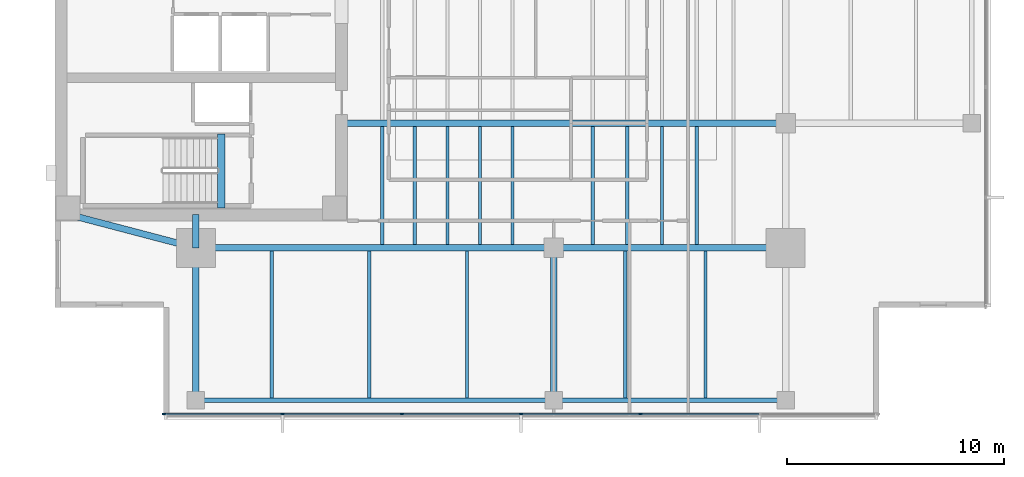
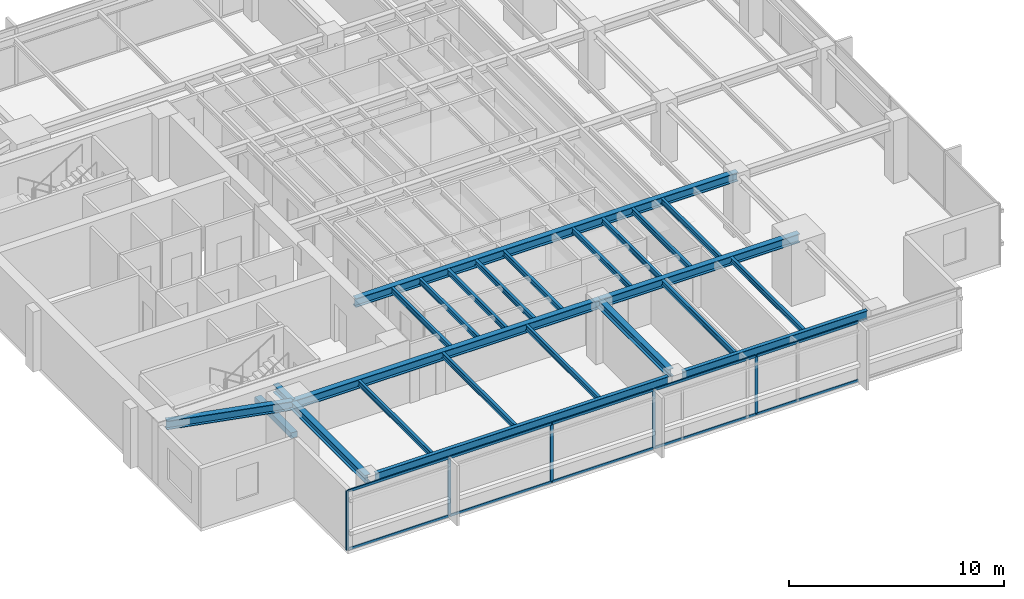
# One storey, part 2 of 14: 24 beams, 15 members, 1 element without a shape of its own.
"""IFC4 building model written with IfcOpenShell, lengths in metres."""

from ifc_helpers import new_model, si_unit, direction, frame, origin, origin_2d, place, context, subcontext, project, spatial, rectangle, i_section, extrude, material, layer, layer_set, material_profile, profile_set, type_object, element, aggregate, save


model = new_model("IFC4")

# Units and contexts
model_context = context("Model", 3, precision=1e-05, world=origin(), true_north=direction((0.0, 1.0)))
body_context = subcontext(model_context, "Body", "Model", "MODEL_VIEW")
ifc_project = project(units=[si_unit("LENGTHUNIT", "METRE"), si_unit("AREAUNIT", "SQUARE_METRE"), si_unit("VOLUMEUNIT", "CUBIC_METRE"), si_unit("PLANEANGLEUNIT", "RADIAN"), si_unit("MASSUNIT", "GRAM", prefix="KILO")], contexts=[model_context])

# Site, building, storey
site_placement = place(None, origin())
site = spatial("IfcSite", under=ifc_project, at=site_placement, CompositionType="ELEMENT")
building_placement = place(site_placement, origin())
building = spatial("IfcBuilding", under=site, at=building_placement, Name="Kinhvarn Gate Tower", CompositionType="ELEMENT")
storey_placement = place(building_placement, frame((0.0, 0.0, 216.449951171875)))
storey = spatial("IfcBuildingStorey", under=building, at=storey_placement, Name="L57", CompositionType="ELEMENT", Elevation=216.449951171875)

# Beam
ifc_material_1 = material(Name="Concrete C50/60", Category="concrete")
ifc_material_profile_1 = material_profile(ifc_material_1, rectangle(XDim=0.340087890625, YDim=0.320068359375, at=origin_2d()), Name="RC 340x320")
ifc_profile_set_1 = profile_set([ifc_material_profile_1], Name="Concrete C50/60")
beam_type_1 = type_object("IfcBeamType", Name="BM-LND-500", PredefinedType="BEAM", material=ifc_profile_set_1)
beam_1_placement = place(storey_placement, frame((12.1650390625, 14.60009765625, -0.159912109375), z_axis=(0.0, 1.0, 0.0), x_axis=(-1.0, 0.0, 0.0)))
element("IfcBeam", 1, at=beam_1_placement, inside=storey, type_object=beam_type_1, Name="Stair ST1 Landing Nosing Beam (L57)", PredefinedType="BEAM", context=body_context, shape_type="SweptSolid", body=[
    extrude(rectangle(XDim=0.340087890625, YDim=0.320068359375, at=origin_2d()), origin(), (0.0, 0.0, 1.0), 3.39990234375),
])

# Curtain wall, members
ifc_material_2 = material(Name="Anodised aluminium AW-6063", Category="aluminium")
ifc_layer = layer(ifc_material_2, 0.179931640625)
ifc_layer_set = layer_set([ifc_layer], Name="Anodised aluminium AW-6063")
curtain_wall_type = type_object("IfcCurtainWallType", Name="CW-SYS-3", PredefinedType="NOTDEFINED", material=ifc_layer_set)
curtain_wall_placement = place(storey_placement, origin())
curtain_wall = element("IfcCurtainWall", 2, at=curtain_wall_placement, inside=storey, type_object=curtain_wall_type, Name="Curtain Wall CW3 (L57)", PredefinedType="NOTDEFINED")
ifc_material_profile_2 = material_profile(ifc_material_2, rectangle(XDim=0.06494140625, YDim=0.159912109375, at=origin_2d()), Name="ALU 65x160")
ifc_profile_set_2 = profile_set([ifc_material_profile_2], Name="Anodised aluminium AW-6063")
member_type_1 = type_object("IfcMemberType", Name="CW-MUL-160", PredefinedType="MULLION", material=ifc_profile_set_2)
member_1_placement = place(storey_placement, frame((9.532470703125, 5.090087890625, 0.0), z_axis=(0.0, 0.0, 1.0), x_axis=(0.0, 1.0, 0.0)))
member_1 = element("IfcMember", 3, at=member_1_placement, type_object=member_type_1, Name="CW3 mullion 1", PredefinedType="MULLION", context=body_context, shape_type="SweptSolid", body=[
    extrude(rectangle(XDim=0.06494140625, YDim=0.159912109375, at=origin_2d()), origin(), (0.0, 0.0, 1.0), 3.3701171875),
])
member_2_placement = place(storey_placement, frame((15.0, 5.090087890625, 0.0), z_axis=(0.0, 0.0, 1.0), x_axis=(0.0, 1.0, 0.0)))
member_2 = element("IfcMember", 4, at=member_2_placement, type_object=member_type_1, Name="CW3 mullion 2", PredefinedType="MULLION", context=body_context, shape_type="SweptSolid", body=[
    extrude(rectangle(XDim=0.06494140625, YDim=0.159912109375, at=origin_2d()), origin(), (0.0, 0.0, 1.0), 3.3701171875),
])
member_3_placement = place(storey_placement, frame((20.5, 5.090087890625, 0.0), z_axis=(0.0, 0.0, 1.0), x_axis=(0.0, 1.0, 0.0)))
member_3 = element("IfcMember", 5, at=member_3_placement, type_object=member_type_1, Name="CW3 mullion 3", PredefinedType="MULLION", context=body_context, shape_type="SweptSolid", body=[
    extrude(rectangle(XDim=0.06494140625, YDim=0.159912109375, at=origin_2d()), origin(), (0.0, 0.0, 1.0), 3.3701171875),
])
member_4_placement = place(storey_placement, frame((26.0, 5.090087890625, 0.0), z_axis=(0.0, 0.0, 1.0), x_axis=(0.0, 1.0, 0.0)))
member_4 = element("IfcMember", 6, at=member_4_placement, type_object=member_type_1, Name="CW3 mullion 4", PredefinedType="MULLION", context=body_context, shape_type="SweptSolid", body=[
    extrude(rectangle(XDim=0.06494140625, YDim=0.159912109375, at=origin_2d()), origin(), (0.0, 0.0, 1.0), 3.3701171875),
])
member_5_placement = place(storey_placement, frame((31.5, 5.090087890625, 0.0), z_axis=(0.0, 0.0, 1.0), x_axis=(0.0, 1.0, 0.0)))
member_5 = element("IfcMember", 7, at=member_5_placement, type_object=member_type_1, Name="CW3 mullion 5", PredefinedType="MULLION", context=body_context, shape_type="SweptSolid", body=[
    extrude(rectangle(XDim=0.06494140625, YDim=0.159912109375, at=origin_2d()), origin(), (0.0, 0.0, 1.0), 3.3701171875),
])
ifc_material_profile_3 = material_profile(ifc_material_2, rectangle(XDim=0.070068359375, YDim=0.139892578125, at=origin_2d()), Name="ALU 70x140")
ifc_profile_set_3 = profile_set([ifc_material_profile_3], Name="Anodised aluminium AW-6063")
member_type_2 = type_object("IfcMemberType", Name="CW-TRN-140", PredefinedType="USERDEFINED", material=ifc_profile_set_3)
member_6_placement = place(storey_placement, frame((9.56494140625, 5.090087890625, 0.03515625), z_axis=(1.0, 0.0, 0.0), x_axis=(0.0, 1.0, 0.0)))
member_6 = element("IfcMember", 8, at=member_6_placement, type_object=member_type_2, Name="CW3 transom 1.1", ObjectType="TRANSOM", PredefinedType="USERDEFINED", context=body_context, shape_type="SweptSolid", body=[
    extrude(rectangle(XDim=0.070068359375, YDim=0.139892578125, at=origin_2d()), origin(), (0.0, 0.0, 1.0), 5.402587890625),
])
member_7_placement = place(storey_placement, frame((9.56494140625, 5.090087890625, 3.3349609375), z_axis=(1.0, 0.0, 0.0), x_axis=(0.0, 1.0, 0.0)))
member_7 = element("IfcMember", 9, at=member_7_placement, type_object=member_type_2, Name="CW3 transom 1.2", ObjectType="TRANSOM", PredefinedType="USERDEFINED", context=body_context, shape_type="SweptSolid", body=[
    extrude(rectangle(XDim=0.070068359375, YDim=0.139892578125, at=origin_2d()), origin(), (0.0, 0.0, 1.0), 5.402587890625),
])
member_8_placement = place(storey_placement, frame((15.032470703125, 5.090087890625, 0.03515625), z_axis=(1.0, 0.0, 0.0), x_axis=(0.0, 1.0, 0.0)))
member_8 = element("IfcMember", 10, at=member_8_placement, type_object=member_type_2, Name="CW3 transom 2.1", ObjectType="TRANSOM", PredefinedType="USERDEFINED", context=body_context, shape_type="SweptSolid", body=[
    extrude(rectangle(XDim=0.070068359375, YDim=0.139892578125, at=origin_2d()), origin(), (0.0, 0.0, 1.0), 5.43505859375),
])
member_9_placement = place(storey_placement, frame((15.032470703125, 5.090087890625, 3.3349609375), z_axis=(1.0, 0.0, 0.0), x_axis=(0.0, 1.0, 0.0)))
member_9 = element("IfcMember", 11, at=member_9_placement, type_object=member_type_2, Name="CW3 transom 2.2", ObjectType="TRANSOM", PredefinedType="USERDEFINED", context=body_context, shape_type="SweptSolid", body=[
    extrude(rectangle(XDim=0.070068359375, YDim=0.139892578125, at=origin_2d()), origin(), (0.0, 0.0, 1.0), 5.43505859375),
])
member_10_placement = place(storey_placement, frame((20.532470703125, 5.090087890625, 0.03515625), z_axis=(1.0, 0.0, 0.0), x_axis=(0.0, 1.0, 0.0)))
member_10 = element("IfcMember", 12, at=member_10_placement, type_object=member_type_2, Name="CW3 transom 3.1", ObjectType="TRANSOM", PredefinedType="USERDEFINED", context=body_context, shape_type="SweptSolid", body=[
    extrude(rectangle(XDim=0.070068359375, YDim=0.139892578125, at=origin_2d()), origin(), (0.0, 0.0, 1.0), 5.43505859375),
])
member_11_placement = place(storey_placement, frame((20.532470703125, 5.090087890625, 3.3349609375), z_axis=(1.0, 0.0, 0.0), x_axis=(0.0, 1.0, 0.0)))
member_11 = element("IfcMember", 13, at=member_11_placement, type_object=member_type_2, Name="CW3 transom 3.2", ObjectType="TRANSOM", PredefinedType="USERDEFINED", context=body_context, shape_type="SweptSolid", body=[
    extrude(rectangle(XDim=0.070068359375, YDim=0.139892578125, at=origin_2d()), origin(), (0.0, 0.0, 1.0), 5.43505859375),
])
member_12_placement = place(storey_placement, frame((26.032470703125, 5.090087890625, 0.03515625), z_axis=(1.0, 0.0, 0.0), x_axis=(0.0, 1.0, 0.0)))
member_12 = element("IfcMember", 14, at=member_12_placement, type_object=member_type_2, Name="CW3 transom 4.1", ObjectType="TRANSOM", PredefinedType="USERDEFINED", context=body_context, shape_type="SweptSolid", body=[
    extrude(rectangle(XDim=0.070068359375, YDim=0.139892578125, at=origin_2d()), origin(), (0.0, 0.0, 1.0), 5.43505859375),
])
member_13_placement = place(storey_placement, frame((26.032470703125, 5.090087890625, 3.3349609375), z_axis=(1.0, 0.0, 0.0), x_axis=(0.0, 1.0, 0.0)))
member_13 = element("IfcMember", 15, at=member_13_placement, type_object=member_type_2, Name="CW3 transom 4.2", ObjectType="TRANSOM", PredefinedType="USERDEFINED", context=body_context, shape_type="SweptSolid", body=[
    extrude(rectangle(XDim=0.070068359375, YDim=0.139892578125, at=origin_2d()), origin(), (0.0, 0.0, 1.0), 5.43505859375),
])
member_14_placement = place(storey_placement, frame((31.532470703125, 5.090087890625, 0.03515625), z_axis=(1.0, 0.0, 0.0), x_axis=(0.0, 1.0, 0.0)))
member_14 = element("IfcMember", 16, at=member_14_placement, type_object=member_type_2, Name="CW3 transom 5.1", ObjectType="TRANSOM", PredefinedType="USERDEFINED", context=body_context, shape_type="SweptSolid", body=[
    extrude(rectangle(XDim=0.070068359375, YDim=0.139892578125, at=origin_2d()), origin(), (0.0, 0.0, 1.0), 5.43505859375),
])
member_15_placement = place(storey_placement, frame((31.532470703125, 5.090087890625, 3.3349609375), z_axis=(1.0, 0.0, 0.0), x_axis=(0.0, 1.0, 0.0)))
member_15 = element("IfcMember", 17, at=member_15_placement, type_object=member_type_2, Name="CW3 transom 5.2", ObjectType="TRANSOM", PredefinedType="USERDEFINED", context=body_context, shape_type="SweptSolid", body=[
    extrude(rectangle(XDim=0.070068359375, YDim=0.139892578125, at=origin_2d()), origin(), (0.0, 0.0, 1.0), 5.43505859375),
])
aggregate(curtain_wall, [member_1, member_2, member_3, member_4, member_5, member_6, member_7, member_8, member_9, member_10, member_11, member_12, member_13, member_14, member_15])

# Beams
ifc_material_3 = material(Name="Steel S355", Category="steel")
ifc_material_profile_4 = material_profile(ifc_material_3, i_section(OverallWidth=0.300048828125, OverallDepth=0.449951171875, WebThickness=0.013916015625, FlangeThickness=0.02587890625, at=origin_2d()), Name="HEB 450")
ifc_profile_set_4 = profile_set([ifc_material_profile_4], Name="Steel S355")
beam_type_2 = type_object("IfcBeamType", Name="STL-HEB450", PredefinedType="BEAM", material=ifc_profile_set_4)
beam_2_placement = place(storey_placement, frame((11.0, 5.719970703125, 3.14501953125), z_axis=(0.0, 1.0, 0.0), x_axis=(-1.0, 0.0, 0.0)))
element("IfcBeam", 18, at=beam_2_placement, inside=storey, type_object=beam_type_2, Name="Floor Beam PG-13 (L57 MCW-S)", PredefinedType="BEAM", context=body_context, shape_type="SweptSolid", body=[
    extrude(i_section(OverallWidth=0.300048828125, OverallDepth=0.449951171875, WebThickness=0.013916015625, FlangeThickness=0.02587890625, at=origin_2d()), origin(), (0.0, 0.0, 1.0), 7.030029296875),
])
beam_3_placement = place(storey_placement, frame((11.0, 12.75, 3.14501953125), z_axis=(0.0, 1.0, 0.0), x_axis=(-1.0, 0.0, 0.0)))
element("IfcBeam", 19, at=beam_3_placement, inside=storey, type_object=beam_type_2, Name="Floor Beam PG-13 (L57 MCW-CS)", PredefinedType="BEAM", context=body_context, shape_type="SweptSolid", body=[
    extrude(i_section(OverallWidth=0.300048828125, OverallDepth=0.449951171875, WebThickness=0.013916015625, FlangeThickness=0.02587890625, at=origin_2d()), origin(), (0.0, 0.0, 1.0), 1.550048828125),
])
beam_4_placement = place(storey_placement, frame((27.5, 6.10498046875, 3.14501953125), z_axis=(0.0, 1.0, 0.0), x_axis=(-1.0, 0.0, 0.0)))
element("IfcBeam", 20, at=beam_4_placement, inside=storey, type_object=beam_type_2, Name="Floor Beam PG-13 (L57 SP27-S-TIE)", PredefinedType="BEAM", context=body_context, shape_type="SweptSolid", body=[
    extrude(i_section(OverallWidth=0.300048828125, OverallDepth=0.449951171875, WebThickness=0.013916015625, FlangeThickness=0.02587890625, at=origin_2d()), origin(), (0.0, 0.0, 1.0), 6.64501953125),
])
ifc_material_profile_5 = material_profile(ifc_material_3, i_section(OverallWidth=0.300048828125, OverallDepth=0.5, WebThickness=0.014404296875, FlangeThickness=0.028076171875, at=origin_2d()), Name="HEB 500")
ifc_profile_set_5 = profile_set([ifc_material_profile_5], Name="Steel S355")
beam_type_3 = type_object("IfcBeamType", Name="STL-HEB500", PredefinedType="BEAM", material=ifc_profile_set_5)
beam_5_placement = place(storey_placement, frame((11.0, 12.75, 3.1201171875), z_axis=(1.0, 0.0, 0.0), x_axis=(0.0, 1.0, 0.0)))
element("IfcBeam", 21, at=beam_5_placement, inside=storey, type_object=beam_type_3, Name="Floor Beam PG-14 (L57 MG-S1)", PredefinedType="BEAM", context=body_context, shape_type="SweptSolid", body=[
    extrude(i_section(OverallWidth=0.300048828125, OverallDepth=0.5, WebThickness=0.014404296875, FlangeThickness=0.028076171875, at=origin_2d()), origin(), (0.0, 0.0, 1.0), 16.5),
])
beam_6_placement = place(storey_placement, frame((27.5, 12.75, 3.1201171875), z_axis=(1.0, 0.0, 0.0), x_axis=(0.0, 1.0, 0.0)))
element("IfcBeam", 22, at=beam_6_placement, inside=storey, type_object=beam_type_3, Name="Floor Beam PG-14 (L57 MG-S2)", PredefinedType="BEAM", context=body_context, shape_type="SweptSolid", body=[
    extrude(i_section(OverallWidth=0.300048828125, OverallDepth=0.5, WebThickness=0.014404296875, FlangeThickness=0.028076171875, at=origin_2d()), origin(), (0.0, 0.0, 1.0), 10.699951171875),
])
beam_7_placement = place(storey_placement, frame((5.10009765625, 14.300048828125, 3.1201171875), z_axis=(0.967177623957, -0.254101246979, 0.0), x_axis=(0.254101246979, 0.967177623957, 0.0)))
element("IfcBeam", 23, at=beam_7_placement, inside=storey, type_object=beam_type_3, Name="Floor Beam PG-14 (L57 MG-SW-DIAG)", PredefinedType="BEAM", context=body_context, shape_type="SweptSolid", body=[
    extrude(i_section(OverallWidth=0.300048828125, OverallDepth=0.5, WebThickness=0.014404296875, FlangeThickness=0.028076171875, at=origin_2d()), origin(), (0.0, 0.0, 1.0), 6.10009765625),
])
beam_8_placement = place(storey_placement, frame((17.64990234375, 18.5, 3.1201171875), z_axis=(1.0, 0.0, 0.0), x_axis=(0.0, 1.0, 0.0)))
element("IfcBeam", 24, at=beam_8_placement, inside=storey, type_object=beam_type_3, Name="Floor Beam PG-14 (L57 EW1-Y18)", PredefinedType="BEAM", context=body_context, shape_type="SweptSolid", body=[
    extrude(i_section(OverallWidth=0.300048828125, OverallDepth=0.5, WebThickness=0.014404296875, FlangeThickness=0.028076171875, at=origin_2d()), origin(), (0.0, 0.0, 1.0), 20.550048828125),
])
ifc_material_profile_6 = material_profile(ifc_material_3, i_section(OverallWidth=0.14990234375, OverallDepth=0.300048828125, WebThickness=0.007080078125, FlangeThickness=0.0107421875, at=origin_2d()), Name="IPE 300")
ifc_profile_set_6 = profile_set([ifc_material_profile_6], Name="Steel S355")
beam_type_4 = type_object("IfcBeamType", Name="STL-IPE300", PredefinedType="JOIST", material=ifc_profile_set_6)
for number, where, z_axis, x_axis, name in (
    (25, (19.60009765625, 12.89990234375, 3.219970703125), (0.0, 1.0, 0.0), (-1.0, 0.0, 0.0), "Floor Joist SB-02 (L57 JC-X196-0)"),
    (26, (21.10009765625, 12.89990234375, 3.219970703125), (0.0, 1.0, 0.0), (-1.0, 0.0, 0.0), "Floor Joist SB-02 (L57 JC-X211-0)"),
    (27, (22.60009765625, 12.89990234375, 3.219970703125), (0.0, 1.0, 0.0), (-1.0, 0.0, 0.0), "Floor Joist SB-02 (L57 JC-X226-0)"),
    (28, (24.10009765625, 12.89990234375, 3.219970703125), (0.0, 1.0, 0.0), (-1.0, 0.0, 0.0), "Floor Joist SB-02 (L57 JC-X241-0)"),
    (29, (25.60009765625, 12.89990234375, 3.219970703125), (0.0, 1.0, 0.0), (-1.0, 0.0, 0.0), "Floor Joist SB-02 (L57 JC-X256-0)"),
    (30, (29.300048828125, 12.89990234375, 3.219970703125), (0.0, 1.0, 0.0), (-1.0, 0.0, 0.0), "Floor Joist SB-02 (L57 JC-X293-0)"),
    (31, (30.89990234375, 12.89990234375, 3.219970703125), (0.0, 1.0, 0.0), (-1.0, 0.0, 0.0), "Floor Joist SB-02 (L57 JC-X309-0)"),
    (32, (32.5, 12.89990234375, 3.219970703125), (0.0, 1.0, 0.0), (-1.0, 0.0, 0.0), "Floor Joist SB-02 (L57 JC-X325-0)"),
    (33, (34.10009765625, 12.89990234375, 3.219970703125), (0.0, 1.0, 0.0), (-1.0, 0.0, 0.0), "Floor Joist SB-02 (L57 JC-X341-0)"),
):
    element("IfcBeam", number, at=place(storey_placement, frame(where, z_axis=z_axis, x_axis=x_axis)), inside=storey, type_object=beam_type_4, Name=name, PredefinedType="JOIST", context=body_context, shape_type="SweptSolid", body=[
        extrude(i_section(OverallWidth=0.14990234375, OverallDepth=0.300048828125, WebThickness=0.007080078125, FlangeThickness=0.0107421875, at=origin_2d()), origin(), (0.0, 0.0, 1.0), 5.4501953125),
    ])
for number, where, z_axis, x_axis, name in (
    (34, (14.5, 5.820068359375, 3.219970703125), (0.0, 1.0, 0.0), (-1.0, 0.0, 0.0), "Floor Joist SB-02 (L57 JS-X145)"),
    (35, (19.0, 5.820068359375, 3.219970703125), (0.0, 1.0, 0.0), (-1.0, 0.0, 0.0), "Floor Joist SB-02 (L57 JS-X190)"),
    (36, (23.5, 5.820068359375, 3.219970703125), (0.0, 1.0, 0.0), (-1.0, 0.0, 0.0), "Floor Joist SB-02 (L57 JS-X235)"),
    (37, (30.800048828125, 5.820068359375, 3.219970703125), (0.0, 1.0, 0.0), (-1.0, 0.0, 0.0), "Floor Joist SB-02 (L57 JS-X308)"),
    (38, (34.5, 5.820068359375, 3.219970703125), (0.0, 1.0, 0.0), (-1.0, 0.0, 0.0), "Floor Joist SB-02 (L57 JS-X345)"),
):
    element("IfcBeam", number, at=place(storey_placement, frame(where, z_axis=z_axis, x_axis=x_axis)), inside=storey, type_object=beam_type_4, Name=name, PredefinedType="JOIST", context=body_context, shape_type="SweptSolid", body=[
        extrude(i_section(OverallWidth=0.14990234375, OverallDepth=0.300048828125, WebThickness=0.007080078125, FlangeThickness=0.0107421875, at=origin_2d()), origin(), (0.0, 0.0, 1.0), 6.780029296875),
    ])
ifc_material_profile_7 = material_profile(ifc_material_3, i_section(OverallWidth=0.199951171875, OverallDepth=0.5, WebThickness=0.01025390625, FlangeThickness=0.01611328125, at=origin_2d()), Name="IPE 500")
ifc_profile_set_7 = profile_set([ifc_material_profile_7], Name="Steel S355")
beam_type_5 = type_object("IfcBeamType", Name="STL-IPE500", PredefinedType="SPANDREL", material=ifc_profile_set_7)
beam_9_placement = place(storey_placement, frame((11.385009765625, 5.719970703125, 3.1201171875), z_axis=(1.0, 0.0, 0.0), x_axis=(0.0, 1.0, 0.0)))
element("IfcBeam", 39, at=beam_9_placement, inside=storey, type_object=beam_type_5, Name="Floor Spandrel SB-07 (L57 SP-S1)", PredefinedType="SPANDREL", context=body_context, shape_type="SweptSolid", body=[
    extrude(i_section(OverallWidth=0.199951171875, OverallDepth=0.5, WebThickness=0.01025390625, FlangeThickness=0.01611328125, at=origin_2d()), origin(), (0.0, 0.0, 1.0), 15.72998046875),
])
beam_10_placement = place(storey_placement, frame((27.885009765625, 5.719970703125, 3.1201171875), z_axis=(1.0, 0.0, 0.0), x_axis=(0.0, 1.0, 0.0)))
element("IfcBeam", 40, at=beam_10_placement, inside=storey, type_object=beam_type_5, Name="Floor Spandrel SB-07 (L57 SP-S2)", PredefinedType="SPANDREL", context=body_context, shape_type="SweptSolid", body=[
    extrude(i_section(OverallWidth=0.199951171875, OverallDepth=0.5, WebThickness=0.01025390625, FlangeThickness=0.01611328125, at=origin_2d()), origin(), (0.0, 0.0, 1.0), 9.929931640625),
])

save(model, "model.ifc")
